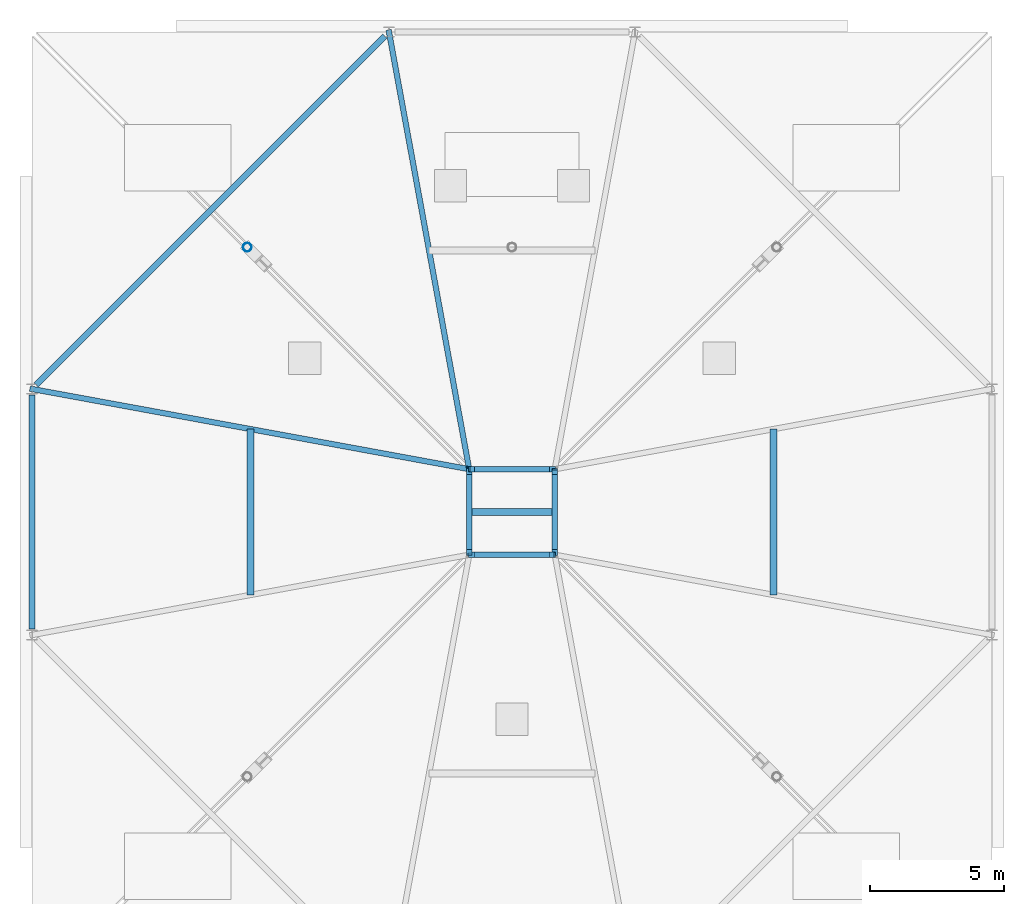
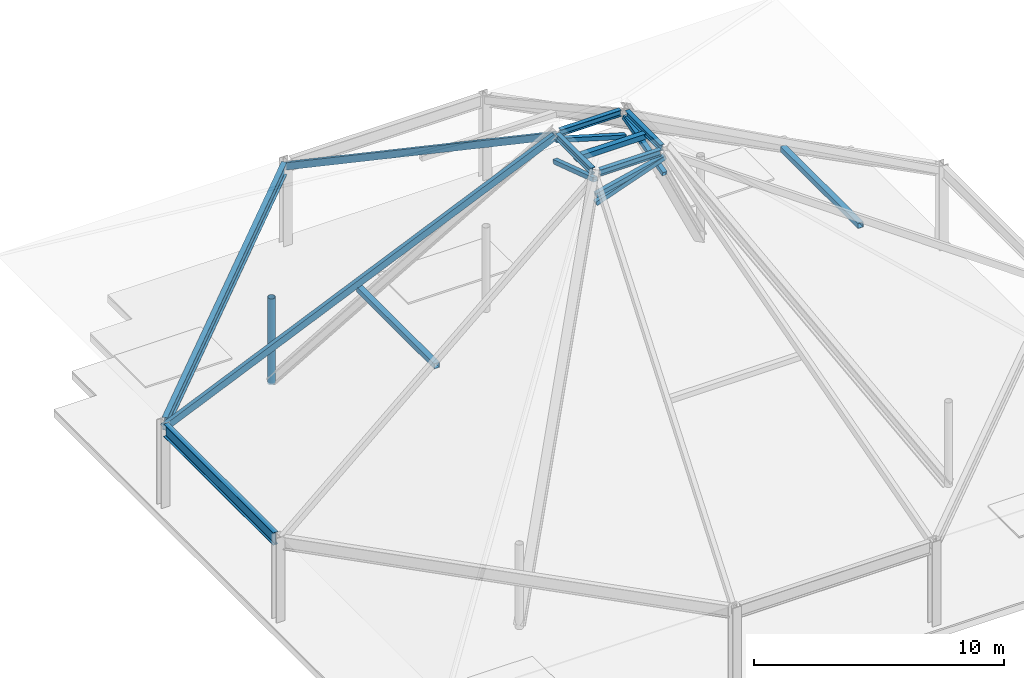
# One storey, part 4 of 7: 11 members, 6 beams.
"""IFC4 building model written with IfcOpenShell, lengths in metres."""

from ifc_helpers import new_model, si_unit, direction, frame, origin, origin_2d, place, context, subcontext, project, spatial, hollow_rectangle, hollow_circle, i_section, extrude, material, material_profile, profile_set, type_object, element, save


model = new_model("IFC4")

# Units and contexts
model_context = context("Model", 3, precision=1e-05, world=origin(), true_north=direction((0.0, 1.0)))
body_context = subcontext(model_context, "Body", "Model", "MODEL_VIEW")
ifc_project = project(units=[si_unit("LENGTHUNIT", "METRE"), si_unit("AREAUNIT", "SQUARE_METRE"), si_unit("VOLUMEUNIT", "CUBIC_METRE"), si_unit("PLANEANGLEUNIT", "RADIAN"), si_unit("MASSUNIT", "GRAM", prefix="KILO")], contexts=[model_context])

# Site, building, storey
site_placement = place(None, origin())
site = spatial("IfcSite", under=ifc_project, at=site_placement, CompositionType="ELEMENT")
building_placement = place(site_placement, origin())
building = spatial("IfcBuilding", under=site, at=building_placement, Name="Kolvaren Belvedere", CompositionType="ELEMENT")
storey_placement = place(building_placement, frame((0.0, 0.0, 287.39990234375)))
storey = spatial("IfcBuildingStorey", under=building, at=storey_placement, Name="RF", CompositionType="ELEMENT", Elevation=287.39990234375)

# Beams
ifc_material_1 = material(Name="Structural steel ASTM A992 Grade 50", Category="steel")
ifc_material_profile_1 = material_profile(ifc_material_1, i_section(OverallWidth=0.202880859375, OverallDepth=0.302978515625, WebThickness=0.007568359375, FlangeThickness=0.01318359375, FilletRadius=0.012939453125, at=origin_2d()), Name="W12X40")
ifc_profile_set_1 = profile_set([ifc_material_profile_1], Name="Structural steel ASTM A992 Grade 50")
beam_type_1 = type_object("IfcBeamType", Name="BM-CAN-W12X40", PredefinedType="BEAM", material=ifc_profile_set_1)
for number, where, z_axis, x_axis, name in (
    (1, (-1.39990234375, -1.60009765625, 14.2900390625), (1.0, 0.0, 0.0), (0.0, 1.0, 0.0), "RF Canopy Compression Ring Beam 1"),
    (2, (1.60009765625, -1.39990234375, 14.2900390625), (0.0, 1.0, 0.0), (-1.0, 0.0, 0.0), "RF Canopy Compression Ring Beam 2"),
    (3, (1.39990234375, 1.60009765625, 14.2900390625), (-1.0, 0.0, 0.0), (0.0, -1.0, 0.0), "RF Canopy Compression Ring Beam 3"),
    (4, (-1.60009765625, 1.39990234375, 14.2900390625), (0.0, -1.0, 0.0), (1.0, 0.0, 0.0), "RF Canopy Compression Ring Beam 4"),
):
    element("IfcBeam", number, at=place(storey_placement, frame(where, z_axis=z_axis, x_axis=x_axis)), inside=storey, type_object=beam_type_1, Name=name, PredefinedType="BEAM", context=body_context, shape_type="SweptSolid", body=[
        extrude(i_section(OverallWidth=0.202880859375, OverallDepth=0.302978515625, WebThickness=0.007568359375, FlangeThickness=0.01318359375, FilletRadius=0.012939453125, at=origin_2d()), origin(), (0.0, 0.0, 1.0), 2.7998046875),
    ])
ifc_material_2 = material(Name="Structural steel ASTM A992 Grade 50", Category="steel")
ifc_material_profile_2 = material_profile(ifc_material_2, i_section(OverallWidth=0.22900390625, OverallDepth=0.612060546875, WebThickness=0.011962890625, FlangeThickness=0.01953125, FilletRadius=0.01806640625, at=origin_2d()), Name="W24X84")
ifc_profile_set_2 = profile_set([ifc_material_profile_2], Name="Structural steel ASTM A992 Grade 50")
beam_type_2 = type_object("IfcBeamType", Name="BM-SPAN-W24X84", PredefinedType="SPANDREL", material=ifc_profile_set_2)
beam_1_placement = place(storey_placement, frame((-4.755615234375, 17.79443359375, 3.89013671875), z_axis=(-0.707106781187, -0.707106781187, 0.0), x_axis=(0.707106781187, -0.707106781187, 0.0)))
element("IfcBeam", 5, at=beam_1_placement, inside=storey, type_object=beam_type_2, Name="RF Canopy Eave Ring Spandrel 6", PredefinedType="SPANDREL", context=body_context, shape_type="SweptSolid", body=[
    extrude(i_section(OverallWidth=0.22900390625, OverallDepth=0.612060546875, WebThickness=0.011962890625, FlangeThickness=0.01953125, FilletRadius=0.01806640625, at=origin_2d()), origin(), (0.0, 0.0, 1.0), 18.439697265625),
])
beam_2_placement = place(storey_placement, frame((-17.949951171875, 4.3798828125, 3.89013671875), z_axis=(0.0, -1.0, 0.0), x_axis=(1.0, 0.0, 0.0)))
element("IfcBeam", 6, at=beam_2_placement, inside=storey, type_object=beam_type_2, Name="RF Canopy Eave Ring Spandrel 7", PredefinedType="SPANDREL", context=body_context, shape_type="SweptSolid", body=[
    extrude(i_section(OverallWidth=0.22900390625, OverallDepth=0.612060546875, WebThickness=0.011962890625, FlangeThickness=0.01953125, FilletRadius=0.01806640625, at=origin_2d()), origin(), (0.0, 0.0, 1.0), 8.759765625),
])

# Members
ifc_material_3 = material(Name="Structural steel ASTM A500 Grade C", Category="steel")
ifc_material_profile_3 = material_profile(ifc_material_3, hollow_rectangle(XDim=0.202880859375, YDim=0.202880859375, WallThickness=0.0087890625, at=origin_2d()), Name="HSS8X8X3/8")
ifc_profile_set_3 = profile_set([ifc_material_profile_3], Name="Structural steel ASTM A500 Grade C")
member_type_1 = type_object("IfcMemberType", Name="MB-BRAC-LIGHT", PredefinedType="STRUT", material=ifc_profile_set_3)
member_1_placement = place(storey_placement, frame((-1.60009765625, -1.60009765625, 13.25), z_axis=(0.973619404626, 0.0, 0.228178121072), x_axis=(0.0, 1.0, 0.0)))
element("IfcMember", 7, at=member_1_placement, inside=storey, type_object=member_type_1, Name="RF Canopy Apex Bracing Strut 1", PredefinedType="STRUT", context=body_context, shape_type="SweptSolid", body=[
    extrude(hollow_rectangle(XDim=0.202880859375, YDim=0.202880859375, WallThickness=0.0087890625, at=origin_2d()), origin(), (0.0, 0.0, 1.0), 3.286865234375),
])
member_2_placement = place(storey_placement, frame((1.60009765625, -1.60009765625, 13.150146484375), z_axis=(0.0, 0.966499989731, 0.256666651225), x_axis=(-1.0, 0.0, 0.0)))
element("IfcMember", 8, at=member_2_placement, inside=storey, type_object=member_type_1, Name="RF Canopy Apex Bracing Strut 2", PredefinedType="STRUT", context=body_context, shape_type="SweptSolid", body=[
    extrude(hollow_rectangle(XDim=0.202880859375, YDim=0.202880859375, WallThickness=0.0087890625, at=origin_2d()), origin(), (0.0, 0.0, 1.0), 3.31103515625),
])
member_3_placement = place(storey_placement, frame((1.60009765625, 1.60009765625, 13.050048828125), z_axis=(-0.958655595444, 0.0, 0.284568883268), x_axis=(0.0, -1.0, 0.0)))
element("IfcMember", 9, at=member_3_placement, inside=storey, type_object=member_type_1, Name="RF Canopy Apex Bracing Strut 3", PredefinedType="STRUT", context=body_context, shape_type="SweptSolid", body=[
    extrude(hollow_rectangle(XDim=0.202880859375, YDim=0.202880859375, WallThickness=0.0087890625, at=origin_2d()), origin(), (0.0, 0.0, 1.0), 3.338134765625),
])
member_4_placement = place(storey_placement, frame((-1.60009765625, 1.60009765625, 12.9501953125), z_axis=(0.0, -0.950180276972, 0.311700884268), x_axis=(1.0, 0.0, 0.0)))
element("IfcMember", 10, at=member_4_placement, inside=storey, type_object=member_type_1, Name="RF Canopy Apex Bracing Strut 4", PredefinedType="STRUT", context=body_context, shape_type="SweptSolid", body=[
    extrude(hollow_rectangle(XDim=0.202880859375, YDim=0.202880859375, WallThickness=0.0087890625, at=origin_2d()), origin(), (0.0, 0.0, 1.0), 3.367919921875),
])
member_5_placement = place(storey_placement, frame((-1.60009765625, -1.60009765625, 12.85009765625), z_axis=(0.941090424813, 0.0, 0.338155012273), x_axis=(0.0, 1.0, 0.0)))
element("IfcMember", 11, at=member_5_placement, inside=storey, type_object=member_type_1, Name="RF Canopy Apex Bracing Strut 5", PredefinedType="STRUT", context=body_context, shape_type="SweptSolid", body=[
    extrude(hollow_rectangle(XDim=0.202880859375, YDim=0.202880859375, WallThickness=0.0087890625, at=origin_2d()), origin(), (0.0, 0.0, 1.0), 3.400634765625),
])
ifc_material_4 = material(Name="Structural steel ASTM A500 Grade C", Category="steel")
ifc_material_profile_4 = material_profile(ifc_material_4, hollow_circle(Radius=0.162109375, WallThickness=0.01171875, at=origin_2d()), Name="HSS12.750X0.500")
ifc_profile_set_4 = profile_set([ifc_material_profile_4], Name="Structural steel ASTM A500 Grade C")
member_type_2 = type_object("IfcMemberType", Name="MB-CAN-POST", PredefinedType="POST", material=ifc_profile_set_4)
member_6_placement = place(storey_placement, frame((-9.89990234375, 9.89990234375, 0.0), z_axis=(0.0, 0.0, 1.0), x_axis=(1.0, 0.0, 0.0)))
element("IfcMember", 12, at=member_6_placement, inside=storey, type_object=member_type_2, Name="RF Canopy Interior Strut Post 4", PredefinedType="POST", context=body_context, shape_type="SweptSolid", body=[
    extrude(hollow_circle(Radius=0.162109375, WallThickness=0.01171875, at=origin_2d()), origin(), (0.0, 0.0, 1.0), 4.2001953125),
])
ifc_material_5 = material(Name="Structural steel ASTM A500 Grade C", Category="steel")
ifc_material_profile_5 = material_profile(ifc_material_5, hollow_rectangle(XDim=0.25390625, YDim=0.25390625, WallThickness=0.01171875, at=origin_2d()), Name="HSS10X10X1/2")
ifc_profile_set_5 = profile_set([ifc_material_profile_5], Name="Structural steel ASTM A500 Grade C")
member_type_3 = type_object("IfcMemberType", Name="MB-CAN-PURLIN", PredefinedType="MEMBER", material=ifc_profile_set_5)
for number, where, z_axis, x_axis, name in (
    (13, (9.77490234375, -3.10009765625, 8.68505859375), (0.0, 1.0, 0.0), (-1.0, 0.0, 0.0), "RF Canopy Mid-Slope Member 2"),
    (14, (-9.77490234375, 3.10009765625, 8.68505859375), (0.0, -1.0, 0.0), (1.0, 0.0, 0.0), "RF Canopy Mid-Slope Member 4"),
):
    element("IfcMember", number, at=place(storey_placement, frame(where, z_axis=z_axis, x_axis=x_axis)), inside=storey, type_object=member_type_3, Name=name, PredefinedType="MEMBER", context=body_context, shape_type="SweptSolid", body=[
        extrude(hollow_rectangle(XDim=0.25390625, YDim=0.25390625, WallThickness=0.01171875, at=origin_2d()), origin(), (0.0, 0.0, 1.0), 6.2001953125),
    ])
member_7_placement = place(storey_placement, frame((-1.60009765625, 0.0, 14.070068359375), z_axis=(1.0, 0.0, 0.0), x_axis=(0.0, 1.0, 0.0)))
element("IfcMember", 15, at=member_7_placement, inside=storey, type_object=member_type_3, Name="RF Canopy Ridge Member 5", PredefinedType="MEMBER", context=body_context, shape_type="SweptSolid", body=[
    extrude(hollow_rectangle(XDim=0.25390625, YDim=0.25390625, WallThickness=0.01171875, at=origin_2d()), origin(), (0.0, 0.0, 1.0), 3.2001953125),
])
ifc_material_6 = material(Name="Structural steel ASTM A500 Grade C", Category="steel")
ifc_material_profile_6 = material_profile(ifc_material_6, hollow_rectangle(XDim=0.202880859375, YDim=0.304931640625, WallThickness=0.01171875, at=origin_2d()), Name="HSS12X8X1/2")
ifc_profile_set_6 = profile_set([ifc_material_profile_6], Name="Structural steel ASTM A500 Grade C")
member_type_4 = type_object("IfcMemberType", Name="MB-CAN-RAFTER", PredefinedType="CHORD", material=ifc_profile_set_6)
for number, where, z_axis, x_axis, name in (
    (16, (-4.60009765625, 17.949951171875, 3.85009765625), (0.153204415765, -0.834956585234, 0.528560221512), (0.983579583873, 0.180474935069, 0.0), "RF Canopy Mid-Face Chord 3"),
    (17, (-17.949951171875, 4.60009765625, 3.85009765625), (0.834956585234, -0.153204415765, 0.528560221512), (0.180474935069, 0.983579583873, 0.0), "RF Canopy Hip Chord 4"),
):
    element("IfcMember", number, at=place(storey_placement, frame(where, z_axis=z_axis, x_axis=x_axis)), inside=storey, type_object=member_type_4, Name=name, PredefinedType="CHORD", context=body_context, shape_type="SweptSolid", body=[
        extrude(hollow_rectangle(XDim=0.202880859375, YDim=0.304931640625, WallThickness=0.01171875, at=origin_2d()), origin(), (0.0, 0.0, 1.0), 19.581787109375),
    ])

save(model, "model.ifc")
